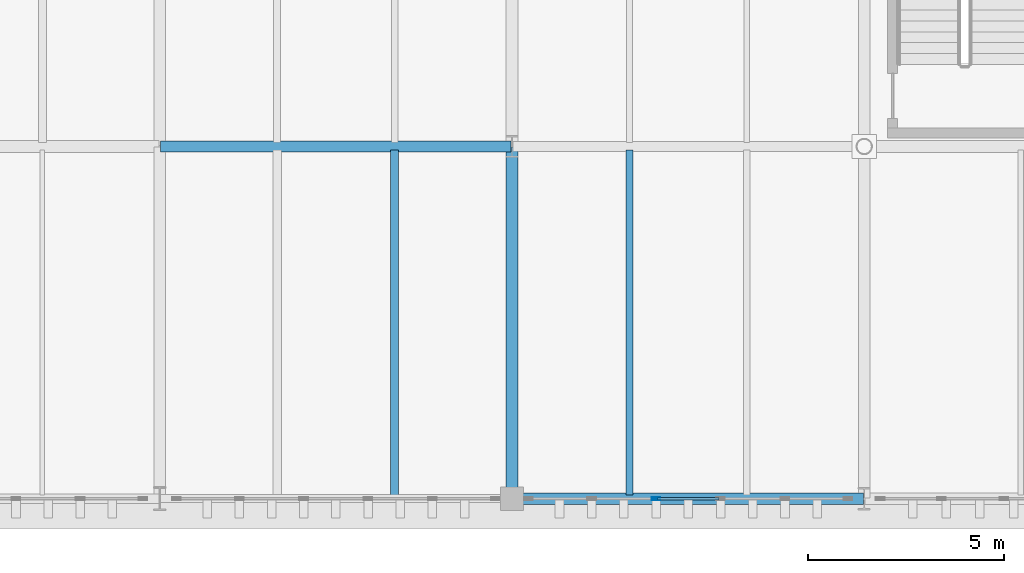
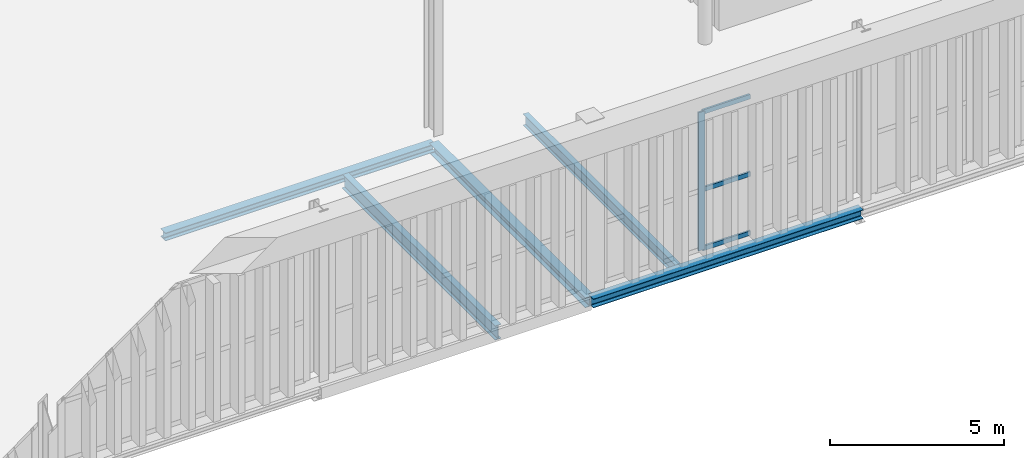
# One storey, part 117 of 237: 5 beams, 4 members, 1 element without a shape of its own.
"""IFC4 building model written with IfcOpenShell, lengths in metres."""

from ifc_helpers import new_model, si_unit, direction, frame, origin, origin_2d, place, context, subcontext, project, spatial, hollow_rectangle, i_section, extrude, material, layer, layer_set, material_profile, profile_set, type_object, element, aggregate, save


model = new_model("IFC4")

# Units and contexts
model_context = context("Model", 3, precision=1e-05, world=origin(), true_north=direction((0.0, 1.0)))
body_context = subcontext(model_context, "Body", "Model", "MODEL_VIEW")
ifc_project = project(units=[si_unit("LENGTHUNIT", "METRE"), si_unit("AREAUNIT", "SQUARE_METRE"), si_unit("VOLUMEUNIT", "CUBIC_METRE"), si_unit("PLANEANGLEUNIT", "RADIAN"), si_unit("MASSUNIT", "GRAM", prefix="KILO")], contexts=[model_context])

# Site, building, storey
site_placement = place(None, origin())
site = spatial("IfcSite", under=ifc_project, at=site_placement, CompositionType="ELEMENT")
building_placement = place(site_placement, origin())
building = spatial("IfcBuilding", under=site, at=building_placement, Name="Barlavento Convention Centre", CompositionType="ELEMENT")
storey_placement = place(building_placement, frame((0.0, 0.0, 12.0)))
storey = spatial("IfcBuildingStorey", under=building, at=storey_placement, Name="L02", CompositionType="ELEMENT", Elevation=12.0)

# Curtain wall, members
ifc_material_1 = material(Name="Powder-coated aluminium and Low-E glass", Category="aluminium")
ifc_layer = layer(ifc_material_1, 0.195068359375)
ifc_layer_set = layer_set([ifc_layer], Name="ARC-CW-BALL-L02")
curtain_wall_type = type_object("IfcCurtainWallType", Name="ARC-CW-BALL-L02", PredefinedType="NOTDEFINED", material=ifc_layer_set)
curtain_wall_placement = place(storey_placement, origin())
curtain_wall = element("IfcCurtainWall", 1, at=curtain_wall_placement, inside=storey, type_object=curtain_wall_type, Name="L02 unitised curtain wall CW07", PredefinedType="NOTDEFINED")
ifc_material_2 = material(Name="Powder-coated aluminium", Category="aluminium")
ifc_material_profile_1 = material_profile(ifc_material_2, hollow_rectangle(XDim=0.070068359375, YDim=0.219970703125, WallThickness=0.006103515625, at=origin_2d()), Name="AL-MULL 70x220x6")
ifc_profile_set_1 = profile_set([ifc_material_profile_1], Name="Powder-coated aluminium")
member_type_1 = type_object("IfcMemberType", Name="ARC-CWM-70X220", PredefinedType="MULLION", material=ifc_profile_set_1)
member_1_placement = place(storey_placement, frame((174.68359375, 0.0, 0.0), z_axis=(0.0, 0.0, 1.0), x_axis=(0.0, 1.0, 0.0)))
member_1 = element("IfcMember", 2, at=member_1_placement, type_object=member_type_1, Name="CW07 mullion 3", PredefinedType="MULLION", context=body_context, shape_type="SweptSolid", body=[
    extrude(hollow_rectangle(XDim=0.070068359375, YDim=0.219970703125, WallThickness=0.006103515625, at=origin_2d()), origin(), (0.0, 0.0, 1.0), 4.85009765625),
])
ifc_material_profile_2 = material_profile(ifc_material_2, hollow_rectangle(XDim=0.06494140625, YDim=0.159912109375, WallThickness=0.0048828125, at=origin_2d()), Name="AL-TRAN 65x160x5")
ifc_profile_set_2 = profile_set([ifc_material_profile_2], Name="Powder-coated aluminium")
member_type_2 = type_object("IfcMemberType", Name="ARC-CWT-65X160", PredefinedType="USERDEFINED", material=ifc_profile_set_2)
member_2_placement = place(storey_placement, frame((174.718505859375, 0.0, 0.032470703125), z_axis=(1.0, 0.0, 0.0), x_axis=(0.0, 1.0, 0.0)))
member_2 = element("IfcMember", 3, at=member_2_placement, type_object=member_type_2, Name="CW07 transom 3.1", ObjectType="TRANSOM", PredefinedType="USERDEFINED", context=body_context, shape_type="SweptSolid", body=[
    extrude(hollow_rectangle(XDim=0.06494140625, YDim=0.159912109375, WallThickness=0.0048828125, at=origin_2d()), origin(), (0.0, 0.0, 1.0), 1.576904296875),
])
member_3_placement = place(storey_placement, frame((174.718505859375, 0.0, 2.10009765625), z_axis=(1.0, 0.0, 0.0), x_axis=(0.0, 1.0, 0.0)))
member_3 = element("IfcMember", 4, at=member_3_placement, type_object=member_type_2, Name="CW07 transom 3.2", ObjectType="TRANSOM", PredefinedType="USERDEFINED", context=body_context, shape_type="SweptSolid", body=[
    extrude(hollow_rectangle(XDim=0.06494140625, YDim=0.159912109375, WallThickness=0.0048828125, at=origin_2d()), origin(), (0.0, 0.0, 1.0), 1.576904296875),
])
member_4_placement = place(storey_placement, frame((174.718505859375, 0.0, 4.8173828125), z_axis=(1.0, 0.0, 0.0), x_axis=(0.0, 1.0, 0.0)))
member_4 = element("IfcMember", 5, at=member_4_placement, type_object=member_type_2, Name="CW07 transom 3.3", ObjectType="TRANSOM", PredefinedType="USERDEFINED", context=body_context, shape_type="SweptSolid", body=[
    extrude(hollow_rectangle(XDim=0.06494140625, YDim=0.159912109375, WallThickness=0.0048828125, at=origin_2d()), origin(), (0.0, 0.0, 1.0), 1.576904296875),
])
aggregate(curtain_wall, [member_1, member_2, member_3, member_4])

# Beams
ifc_material_3 = material(Name="Steel S355", Category="steel")
ifc_material_profile_3 = material_profile(ifc_material_3, i_section(OverallWidth=0.179931640625, OverallDepth=0.39990234375, WebThickness=0.008544921875, FlangeThickness=0.013427734375, FilletRadius=0.02099609375, at=origin_2d()), Name="IPE 400")
ifc_profile_set_3 = profile_set([ifc_material_profile_3], Name="Steel S355")
beam_type_1 = type_object("IfcBeamType", Name="STR-BM-JST-IPE400", PredefinedType="JOIST", material=ifc_profile_set_3)
beam_1_placement = place(storey_placement, frame((174.0, 0.094970703125, -0.570068359375), z_axis=(0.0, 1.0, 0.0), x_axis=(-1.0, 0.0, 0.0)))
element("IfcBeam", 6, at=beam_1_placement, inside=storey, type_object=beam_type_1, Name="L02 composite floor joist SJ04", PredefinedType="JOIST", context=body_context, shape_type="SweptSolid", body=[
    extrude(i_section(OverallWidth=0.179931640625, OverallDepth=0.39990234375, WebThickness=0.008544921875, FlangeThickness=0.013427734375, FilletRadius=0.02099609375, at=origin_2d()), origin(), (0.0, 0.0, 1.0), 8.81005859375),
])
ifc_material_profile_4 = material_profile(ifc_material_3, i_section(OverallWidth=0.199951171875, OverallDepth=0.5, WebThickness=0.01025390625, FlangeThickness=0.01611328125, FilletRadius=0.02099609375, at=origin_2d()), Name="IPE 500")
ifc_profile_set_4 = profile_set([ifc_material_profile_4], Name="Steel S355")
beam_type_2 = type_object("IfcBeamType", Name="STR-BM-JST-IPE500", PredefinedType="JOIST", material=ifc_profile_set_4)
beam_2_placement = place(storey_placement, frame((168.0, 0.094970703125, -0.6201171875), z_axis=(0.0, 1.0, 0.0), x_axis=(-1.0, 0.0, 0.0)))
element("IfcBeam", 7, at=beam_2_placement, inside=storey, type_object=beam_type_2, Name="L02 composite floor joist SJ02", PredefinedType="JOIST", context=body_context, shape_type="SweptSolid", body=[
    extrude(i_section(OverallWidth=0.199951171875, OverallDepth=0.5, WebThickness=0.01025390625, FlangeThickness=0.01611328125, FilletRadius=0.02099609375, at=origin_2d()), origin(), (0.0, 0.0, 1.0), 8.81005859375),
])
ifc_material_profile_5 = material_profile(ifc_material_3, i_section(OverallWidth=0.300048828125, OverallDepth=0.35009765625, WebThickness=0.010009765625, FlangeThickness=0.017578125, FilletRadius=0.027099609375, at=origin_2d()), Name="HEA 360")
ifc_profile_set_5 = profile_set([ifc_material_profile_5], Name="Steel S355")
beam_type_3 = type_object("IfcBeamType", Name="STR-BM-PRI-HEA360", PredefinedType="BEAM", material=ifc_profile_set_5)
beam_3_placement = place(storey_placement, frame((171.0, 0.02001953125, -0.544921875), z_axis=(0.0, 1.0, 0.0), x_axis=(-1.0, 0.0, 0.0)))
element("IfcBeam", 8, at=beam_3_placement, inside=storey, type_object=beam_type_3, Name="L02 grid girder BG23", PredefinedType="BEAM", context=body_context, shape_type="SweptSolid", body=[
    extrude(i_section(OverallWidth=0.300048828125, OverallDepth=0.35009765625, WebThickness=0.010009765625, FlangeThickness=0.017578125, FilletRadius=0.027099609375, at=origin_2d()), origin(), (0.0, 0.0, 1.0), 8.9599609375),
])
ifc_material_profile_6 = material_profile(ifc_material_3, i_section(OverallWidth=0.280029296875, OverallDepth=0.280029296875, WebThickness=0.010498046875, FlangeThickness=0.01806640625, FilletRadius=0.02392578125, at=origin_2d()), Name="HEB 280")
ifc_profile_set_6 = profile_set([ifc_material_profile_6], Name="Steel S355")
beam_type_4 = type_object("IfcBeamType", Name="STR-BM-PRI-HEB280", PredefinedType="BEAM", material=ifc_profile_set_6)
beam_4_placement = place(storey_placement, frame((162.02001953125, 9.0, -0.510009765625), z_axis=(1.0, 0.0, 0.0), x_axis=(0.0, 1.0, 0.0)))
element("IfcBeam", 9, at=beam_4_placement, inside=storey, type_object=beam_type_4, Name="L02 primary girder BG15", PredefinedType="BEAM", context=body_context, shape_type="SweptSolid", body=[
    extrude(i_section(OverallWidth=0.280029296875, OverallDepth=0.280029296875, WebThickness=0.010498046875, FlangeThickness=0.01806640625, FilletRadius=0.02392578125, at=origin_2d()), origin(), (0.0, 0.0, 1.0), 8.9599609375),
])
ifc_material_profile_7 = material_profile(ifc_material_3, i_section(OverallWidth=0.300048828125, OverallDepth=0.31005859375, WebThickness=0.009033203125, FlangeThickness=0.015380859375, FilletRadius=0.027099609375, at=origin_2d()), Name="HEA 320")
ifc_profile_set_7 = profile_set([ifc_material_profile_7], Name="Steel S355")
beam_type_5 = type_object("IfcBeamType", Name="STR-BM-SPN-HEA320", PredefinedType="SPANDREL", material=ifc_profile_set_7)
beam_5_placement = place(storey_placement, frame((171.02001953125, 0.0, -0.52490234375), z_axis=(1.0, 0.0, 0.0), x_axis=(0.0, 1.0, 0.0)))
element("IfcBeam", 10, at=beam_5_placement, inside=storey, type_object=beam_type_5, Name="L02 primary girder SP01", PredefinedType="SPANDREL", context=body_context, shape_type="SweptSolid", body=[
    extrude(i_section(OverallWidth=0.300048828125, OverallDepth=0.31005859375, WebThickness=0.009033203125, FlangeThickness=0.015380859375, FilletRadius=0.027099609375, at=origin_2d()), origin(), (0.0, 0.0, 1.0), 8.9599609375),
])

save(model, "model.ifc")
